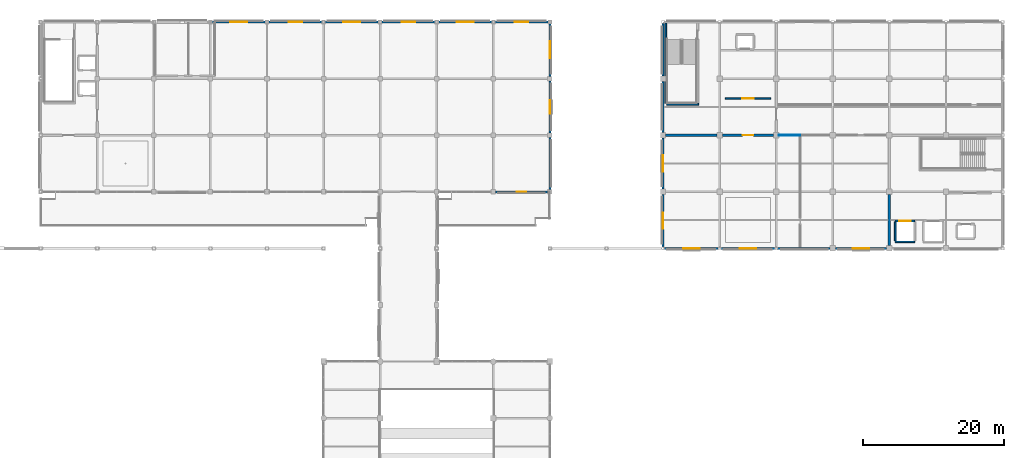
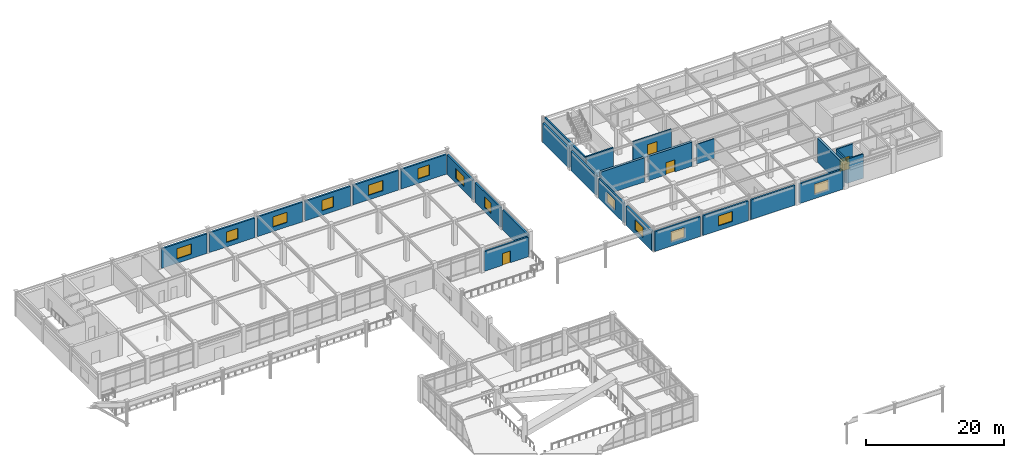
# One storey, part 63 of 78: 28 walls, 13 windows, 4 doors, 17 openings.
"""IFC4 building model written with IfcOpenShell, lengths in metres."""

from ifc_helpers import new_model, si_unit, direction, frame, frame_2d, origin, place, context, subcontext, project, spatial, rectangle, extrude, material, layer, layer_set, type_object, element, fill, save


model = new_model("IFC4")

# Units and contexts
model_context = context("Model", 3, precision=1e-05, world=origin(), true_north=direction((0.0, 1.0)))
body_context = subcontext(model_context, "Body", "Model", "MODEL_VIEW")
ifc_project = project(units=[si_unit("LENGTHUNIT", "METRE"), si_unit("AREAUNIT", "SQUARE_METRE"), si_unit("VOLUMEUNIT", "CUBIC_METRE"), si_unit("PLANEANGLEUNIT", "RADIAN"), si_unit("MASSUNIT", "GRAM", prefix="KILO")], contexts=[model_context])

# Site, building, storey
site_placement = place(None, origin())
site = spatial("IfcSite", under=ifc_project, at=site_placement, CompositionType="ELEMENT")
building_placement = place(site_placement, origin())
building = spatial("IfcBuilding", under=site, at=building_placement, Name="Solmirada Galleria", CompositionType="ELEMENT")
storey_placement = place(building_placement, frame((0.0, 0.0, 23.89990234375)))
storey = spatial("IfcBuildingStorey", under=building, at=storey_placement, Name="L05", CompositionType="ELEMENT", Elevation=23.89990234375)

# Wall
ifc_material_1 = material(Name="Concrete C40/50", Category="concrete")
ifc_layer_1 = layer(ifc_material_1, 0.3798828125)
ifc_layer_set_1 = layer_set([ifc_layer_1], Name="Concrete C40/50")
wall_type_1 = type_object("IfcWallType", Name="WL-CORE-380", PredefinedType="SHEAR", material=ifc_layer_set_1)
wall_1_placement = place(storey_placement, frame((128.375, 104.0, 0.0), z_axis=(0.0, 0.0, 1.0), x_axis=(1.0, 0.0, 0.0)))
element("IfcWall", 1, at=wall_1_placement, inside=storey, type_object=wall_type_1, Name="Core C3 shear wall L05 S1", PredefinedType="SHEAR", context=body_context, shape_type="SweptSolid", body=[
    extrude(rectangle(XDim=7.25, YDim=0.3798828125, at=frame_2d((3.625, 0.0))), origin(), (0.0, 0.0, 1.0), 4.280029296875),
])

# Wall, opening, door
wall_2_placement = place(storey_placement, frame((136.375, 104.0, 0.0), z_axis=(0.0, 0.0, 1.0), x_axis=(1.0, 0.0, 0.0)))
wall_2 = element("IfcWall", 2, at=wall_2_placement, inside=storey, type_object=wall_type_1, Name="Core C3 shear wall L05 S2", PredefinedType="SHEAR", context=body_context, shape_type="SweptSolid", body=[
    extrude(rectangle(XDim=7.25, YDim=0.3798828125, at=frame_2d((3.625, 0.0))), origin(), (0.0, 0.0, 1.0), 4.280029296875),
])
opening_1_placement = place(wall_2_placement, frame((2.875, 0.0, 0.0)))
opening_1 = element("IfcOpeningElement", 3, at=opening_1_placement, cuts=wall_2, Name="Opening LDY-194", PredefinedType="OPENING", context=body_context, shape_type="SweptSolid", body=[
    extrude(rectangle(XDim=1.5, YDim=2.14990234375, at=frame_2d((0.75, 1.074951171875))), frame((0.0, 0.199951171875, 0.0), z_axis=(0.0, -1.0, 0.0), x_axis=(1.0, 0.0, 0.0)), (0.0, 0.0, 1.0), 0.39990234375),
])
ifc_material_2 = material(Name="Fire-rated painted steel door assembly", Category="steel")
door_type_1 = type_object("IfcDoorType", Name="DR-LOBBY-150X215", OperationType="DOUBLE_DOOR_SINGLE_SWING", PredefinedType="DOOR", material=ifc_material_2)
door_1_placement = place(opening_1_placement, origin())
door_1 = element("IfcDoor", 4, at=door_1_placement, inside=storey, type_object=door_type_1, Name="Core C3 lobby access fire door LDY-194", OperationType="DOUBLE_DOOR_SINGLE_SWING", OverallHeight=2.14990234375, OverallWidth=1.5, PredefinedType="DOOR", context=body_context, shape_type="SweptSolid", body=[
    extrude(rectangle(XDim=1.5, YDim=2.14990234375, at=frame_2d((0.75, 1.074951171875))), frame((0.0, 0.02490234375, 0.0), z_axis=(0.0, -1.0, 0.0), x_axis=(1.0, 0.0, 0.0)), (0.0, 0.0, 1.0), 0.050048828125),
])
fill(opening_1, door_1)

# Wall
wall_3_placement = place(storey_placement, frame((160.0, 88.375, 0.0), z_axis=(0.0, 0.0, 1.0), x_axis=(0.0, 1.0, 0.0)))
element("IfcWall", 5, at=wall_3_placement, inside=storey, type_object=wall_type_1, Name="Core C4 shear wall L05 W1", PredefinedType="SHEAR", context=body_context, shape_type="SweptSolid", body=[
    extrude(rectangle(XDim=7.25, YDim=0.3798828125, at=frame_2d((3.625, 0.0))), origin(), (0.0, 0.0, 1.0), 4.280029296875),
])

# Wall, opening, window
ifc_material_3 = material(Name="Precast concrete C40/50", Category="concrete")
ifc_layer_2 = layer(ifc_material_3, 0.2900390625)
ifc_layer_set_2 = layer_set([ifc_layer_2], Name="Precast concrete C40/50")
wall_type_2 = type_object("IfcWallType", Name="WL-EXT-290", PredefinedType="STANDARD", material=ifc_layer_set_2)
wall_4_placement = place(storey_placement, frame((64.202880859375, 120.0, 0.0), z_axis=(0.0, 0.0, 1.0), x_axis=(1.0, 0.0, 0.0)))
wall_4 = element("IfcWall", 6, at=wall_4_placement, inside=storey, type_object=wall_type_2, Name="Exterior wall L05 bay 024", PredefinedType="STANDARD", context=body_context, shape_type="SweptSolid", body=[
    extrude(rectangle(XDim=7.59423828125, YDim=0.2900390625, at=frame_2d((3.797119140625, 0.0))), origin(), (0.0, 0.0, 1.0), 3.47998046875),
])
opening_2_placement = place(wall_4_placement, frame((2.596923828125, 0.0, 0.800048828125)))
opening_2 = element("IfcOpeningElement", 7, at=opening_2_placement, cuts=wall_4, Name="Opening WN27", PredefinedType="OPENING", context=body_context, shape_type="SweptSolid", body=[
    extrude(rectangle(XDim=2.39990234375, YDim=1.800048828125, at=frame_2d((1.199951171875, 0.89990234375))), frame((0.0, 0.155029296875, 0.0), z_axis=(0.0, -1.0, 0.0), x_axis=(1.0, 0.0, 0.0)), (0.0, 0.0, 1.0), 0.31005859375),
])
ifc_material_4 = material(Name="Impact-resistant low-E double glazing", Category="glass")
window_type_1 = type_object("IfcWindowType", Name="WIN-MOD-240X180", PartitioningType="DOUBLE_PANEL_VERTICAL", PredefinedType="WINDOW", material=ifc_material_4)
window_1_placement = place(opening_2_placement, origin())
window_1 = element("IfcWindow", 8, at=window_1_placement, inside=storey, type_object=window_type_1, Name="Window L05-155", OverallHeight=1.800048828125, OverallWidth=2.39990234375, PartitioningType="DOUBLE_PANEL_VERTICAL", PredefinedType="WINDOW", context=body_context, shape_type="SweptSolid", body=[
    extrude(rectangle(XDim=2.39990234375, YDim=1.800048828125, at=frame_2d((1.199951171875, 0.89990234375))), frame((0.0, 0.030029296875, 0.0), z_axis=(0.0, -1.0, 0.0), x_axis=(1.0, 0.0, 0.0)), (0.0, 0.0, 1.0), 0.06005859375),
])
fill(opening_2, window_1)

wall_5_placement = place(storey_placement, frame((72.202880859375, 120.0, 0.0), z_axis=(0.0, 0.0, 1.0), x_axis=(1.0, 0.0, 0.0)))
wall_5 = element("IfcWall", 9, at=wall_5_placement, inside=storey, type_object=wall_type_2, Name="Exterior wall L05 bay 025", PredefinedType="STANDARD", context=body_context, shape_type="SweptSolid", body=[
    extrude(rectangle(XDim=7.59423828125, YDim=0.2900390625, at=frame_2d((3.797119140625, 0.0))), origin(), (0.0, 0.0, 1.0), 3.47998046875),
])
opening_3_placement = place(wall_5_placement, frame((2.846923828125, 0.0, 0.800048828125)))
opening_3 = element("IfcOpeningElement", 10, at=opening_3_placement, cuts=wall_5, Name="Opening WN5", PredefinedType="OPENING", context=body_context, shape_type="SweptSolid", body=[
    extrude(rectangle(XDim=1.89990234375, YDim=1.85009765625, at=frame_2d((0.949951171875, 0.925048828125))), frame((0.0, 0.155029296875, 0.0), z_axis=(0.0, -1.0, 0.0), x_axis=(1.0, 0.0, 0.0)), (0.0, 0.0, 1.0), 0.31005859375),
])
window_type_2 = type_object("IfcWindowType", Name="WIN-AVE-190X185", PartitioningType="SINGLE_PANEL", PredefinedType="WINDOW", material=ifc_material_4)
window_2_placement = place(opening_3_placement, origin())
window_2 = element("IfcWindow", 11, at=window_2_placement, inside=storey, type_object=window_type_2, Name="Window L05-156", OverallHeight=1.85009765625, OverallWidth=1.89990234375, PartitioningType="SINGLE_PANEL", PredefinedType="WINDOW", context=body_context, shape_type="SweptSolid", body=[
    extrude(rectangle(XDim=1.89990234375, YDim=1.85009765625, at=frame_2d((0.949951171875, 0.925048828125))), frame((0.0, 0.030029296875, 0.0), z_axis=(0.0, -1.0, 0.0), x_axis=(1.0, 0.0, 0.0)), (0.0, 0.0, 1.0), 0.06005859375),
])
fill(opening_3, window_2)

wall_6_placement = place(storey_placement, frame((80.202880859375, 120.0, 0.0), z_axis=(0.0, 0.0, 1.0), x_axis=(1.0, 0.0, 0.0)))
wall_6 = element("IfcWall", 12, at=wall_6_placement, inside=storey, type_object=wall_type_2, Name="Exterior wall L05 bay 026", PredefinedType="STANDARD", context=body_context, shape_type="SweptSolid", body=[
    extrude(rectangle(XDim=7.59423828125, YDim=0.2900390625, at=frame_2d((3.797119140625, 0.0))), origin(), (0.0, 0.0, 1.0), 3.47998046875),
])
opening_4_placement = place(wall_6_placement, frame((2.596923828125, 0.0, 0.800048828125)))
opening_4 = element("IfcOpeningElement", 13, at=opening_4_placement, cuts=wall_6, Name="Opening WN27", PredefinedType="OPENING", context=body_context, shape_type="SweptSolid", body=[
    extrude(rectangle(XDim=2.39990234375, YDim=1.800048828125, at=frame_2d((1.199951171875, 0.89990234375))), frame((0.0, 0.155029296875, 0.0), z_axis=(0.0, -1.0, 0.0), x_axis=(1.0, 0.0, 0.0)), (0.0, 0.0, 1.0), 0.31005859375),
])
window_3_placement = place(opening_4_placement, origin())
window_3 = element("IfcWindow", 14, at=window_3_placement, inside=storey, type_object=window_type_1, Name="Window L05-157", OverallHeight=1.800048828125, OverallWidth=2.39990234375, PartitioningType="DOUBLE_PANEL_VERTICAL", PredefinedType="WINDOW", context=body_context, shape_type="SweptSolid", body=[
    extrude(rectangle(XDim=2.39990234375, YDim=1.800048828125, at=frame_2d((1.199951171875, 0.89990234375))), frame((0.0, 0.030029296875, 0.0), z_axis=(0.0, -1.0, 0.0), x_axis=(1.0, 0.0, 0.0)), (0.0, 0.0, 1.0), 0.06005859375),
])
fill(opening_4, window_3)

wall_7_placement = place(storey_placement, frame((88.202880859375, 120.0, 0.0), z_axis=(0.0, 0.0, 1.0), x_axis=(1.0, 0.0, 0.0)))
wall_7 = element("IfcWall", 15, at=wall_7_placement, inside=storey, type_object=wall_type_2, Name="Exterior wall L05 bay 027", PredefinedType="STANDARD", context=body_context, shape_type="SweptSolid", body=[
    extrude(rectangle(XDim=7.59423828125, YDim=0.2900390625, at=frame_2d((3.797119140625, 0.0))), origin(), (0.0, 0.0, 1.0), 3.47998046875),
])
opening_5_placement = place(wall_7_placement, frame((2.846923828125, 0.0, 0.800048828125)))
opening_5 = element("IfcOpeningElement", 16, at=opening_5_placement, cuts=wall_7, Name="Opening WN5", PredefinedType="OPENING", context=body_context, shape_type="SweptSolid", body=[
    extrude(rectangle(XDim=1.89990234375, YDim=1.85009765625, at=frame_2d((0.949951171875, 0.925048828125))), frame((0.0, 0.155029296875, 0.0), z_axis=(0.0, -1.0, 0.0), x_axis=(1.0, 0.0, 0.0)), (0.0, 0.0, 1.0), 0.31005859375),
])
window_4_placement = place(opening_5_placement, origin())
window_4 = element("IfcWindow", 17, at=window_4_placement, inside=storey, type_object=window_type_2, Name="Window L05-158", OverallHeight=1.85009765625, OverallWidth=1.89990234375, PartitioningType="SINGLE_PANEL", PredefinedType="WINDOW", context=body_context, shape_type="SweptSolid", body=[
    extrude(rectangle(XDim=1.89990234375, YDim=1.85009765625, at=frame_2d((0.949951171875, 0.925048828125))), frame((0.0, 0.030029296875, 0.0), z_axis=(0.0, -1.0, 0.0), x_axis=(1.0, 0.0, 0.0)), (0.0, 0.0, 1.0), 0.06005859375),
])
fill(opening_5, window_4)

wall_8_placement = place(storey_placement, frame((96.202880859375, 120.0, 0.0), z_axis=(0.0, 0.0, 1.0), x_axis=(1.0, 0.0, 0.0)))
wall_8 = element("IfcWall", 18, at=wall_8_placement, inside=storey, type_object=wall_type_2, Name="Exterior wall L05 bay 028", PredefinedType="STANDARD", context=body_context, shape_type="SweptSolid", body=[
    extrude(rectangle(XDim=7.59423828125, YDim=0.2900390625, at=frame_2d((3.797119140625, 0.0))), origin(), (0.0, 0.0, 1.0), 3.47998046875),
])
opening_6_placement = place(wall_8_placement, frame((2.596923828125, 0.0, 0.800048828125)))
opening_6 = element("IfcOpeningElement", 19, at=opening_6_placement, cuts=wall_8, Name="Opening WN27", PredefinedType="OPENING", context=body_context, shape_type="SweptSolid", body=[
    extrude(rectangle(XDim=2.39990234375, YDim=1.800048828125, at=frame_2d((1.199951171875, 0.89990234375))), frame((0.0, 0.155029296875, 0.0), z_axis=(0.0, -1.0, 0.0), x_axis=(1.0, 0.0, 0.0)), (0.0, 0.0, 1.0), 0.31005859375),
])
window_5_placement = place(opening_6_placement, origin())
window_5 = element("IfcWindow", 20, at=window_5_placement, inside=storey, type_object=window_type_1, Name="Window L05-159", OverallHeight=1.800048828125, OverallWidth=2.39990234375, PartitioningType="DOUBLE_PANEL_VERTICAL", PredefinedType="WINDOW", context=body_context, shape_type="SweptSolid", body=[
    extrude(rectangle(XDim=2.39990234375, YDim=1.800048828125, at=frame_2d((1.199951171875, 0.89990234375))), frame((0.0, 0.030029296875, 0.0), z_axis=(0.0, -1.0, 0.0), x_axis=(1.0, 0.0, 0.0)), (0.0, 0.0, 1.0), 0.06005859375),
])
fill(opening_6, window_5)

wall_9_placement = place(storey_placement, frame((104.202880859375, 120.0, 0.0), z_axis=(0.0, 0.0, 1.0), x_axis=(1.0, 0.0, 0.0)))
wall_9 = element("IfcWall", 21, at=wall_9_placement, inside=storey, type_object=wall_type_2, Name="Exterior wall L05 bay 029", PredefinedType="STANDARD", context=body_context, shape_type="SweptSolid", body=[
    extrude(rectangle(XDim=7.59423828125, YDim=0.2900390625, at=frame_2d((3.797119140625, 0.0))), origin(), (0.0, 0.0, 1.0), 3.47998046875),
])
opening_7_placement = place(wall_9_placement, frame((2.846923828125, 0.0, 0.800048828125)))
opening_7 = element("IfcOpeningElement", 22, at=opening_7_placement, cuts=wall_9, Name="Opening WN5", PredefinedType="OPENING", context=body_context, shape_type="SweptSolid", body=[
    extrude(rectangle(XDim=1.89990234375, YDim=1.85009765625, at=frame_2d((0.949951171875, 0.925048828125))), frame((0.0, 0.155029296875, 0.0), z_axis=(0.0, -1.0, 0.0), x_axis=(1.0, 0.0, 0.0)), (0.0, 0.0, 1.0), 0.31005859375),
])
window_6_placement = place(opening_7_placement, origin())
window_6 = element("IfcWindow", 23, at=window_6_placement, inside=storey, type_object=window_type_2, Name="Window L05-160", OverallHeight=1.85009765625, OverallWidth=1.89990234375, PartitioningType="SINGLE_PANEL", PredefinedType="WINDOW", context=body_context, shape_type="SweptSolid", body=[
    extrude(rectangle(XDim=1.89990234375, YDim=1.85009765625, at=frame_2d((0.949951171875, 0.925048828125))), frame((0.0, 0.030029296875, 0.0), z_axis=(0.0, -1.0, 0.0), x_axis=(1.0, 0.0, 0.0)), (0.0, 0.0, 1.0), 0.06005859375),
])
fill(opening_7, window_6)

wall_10_placement = place(storey_placement, frame((112.0, 119.797119140625, 0.0), z_axis=(0.0, 0.0, 1.0), x_axis=(0.0, -1.0, 0.0)))
wall_10 = element("IfcWall", 24, at=wall_10_placement, inside=storey, type_object=wall_type_2, Name="Exterior wall L05 bay 030", PredefinedType="STANDARD", context=body_context, shape_type="SweptSolid", body=[
    extrude(rectangle(XDim=7.47216796875, YDim=0.2900390625, at=frame_2d((3.736083984375, 0.0))), origin(), (0.0, 0.0, 1.0), 3.47998046875),
])
opening_8_placement = place(wall_10_placement, frame((2.535888671875, 0.0, 0.800048828125)))
opening_8 = element("IfcOpeningElement", 25, at=opening_8_placement, cuts=wall_10, Name="Opening WN27", PredefinedType="OPENING", context=body_context, shape_type="SweptSolid", body=[
    extrude(rectangle(XDim=2.39990234375, YDim=1.800048828125, at=frame_2d((1.199951171875, 0.89990234375))), frame((0.0, 0.155029296875, 0.0), z_axis=(0.0, -1.0, 0.0), x_axis=(1.0, 0.0, 0.0)), (0.0, 0.0, 1.0), 0.31005859375),
])
window_7_placement = place(opening_8_placement, origin())
window_7 = element("IfcWindow", 26, at=window_7_placement, inside=storey, type_object=window_type_1, Name="Window L05-161", OverallHeight=1.800048828125, OverallWidth=2.39990234375, PartitioningType="DOUBLE_PANEL_VERTICAL", PredefinedType="WINDOW", context=body_context, shape_type="SweptSolid", body=[
    extrude(rectangle(XDim=2.39990234375, YDim=1.800048828125, at=frame_2d((1.199951171875, 0.89990234375))), frame((0.0, 0.030029296875, 0.0), z_axis=(0.0, -1.0, 0.0), x_axis=(1.0, 0.0, 0.0)), (0.0, 0.0, 1.0), 0.06005859375),
])
fill(opening_8, window_7)

wall_11_placement = place(storey_placement, frame((112.0, 111.675048828125, 0.0), z_axis=(0.0, 0.0, 1.0), x_axis=(0.0, -1.0, 0.0)))
wall_11 = element("IfcWall", 27, at=wall_11_placement, inside=storey, type_object=wall_type_2, Name="Exterior wall L05 bay 031", PredefinedType="STANDARD", context=body_context, shape_type="SweptSolid", body=[
    extrude(rectangle(XDim=7.35009765625, YDim=0.2900390625, at=frame_2d((3.675048828125, 0.0))), origin(), (0.0, 0.0, 1.0), 3.47998046875),
])
opening_9_placement = place(wall_11_placement, frame((2.72509765625, 0.0, 0.800048828125)))
opening_9 = element("IfcOpeningElement", 28, at=opening_9_placement, cuts=wall_11, Name="Opening WN5", PredefinedType="OPENING", context=body_context, shape_type="SweptSolid", body=[
    extrude(rectangle(XDim=1.89990234375, YDim=1.85009765625, at=frame_2d((0.949951171875, 0.925048828125))), frame((0.0, 0.155029296875, 0.0), z_axis=(0.0, -1.0, 0.0), x_axis=(1.0, 0.0, 0.0)), (0.0, 0.0, 1.0), 0.31005859375),
])
window_8_placement = place(opening_9_placement, origin())
window_8 = element("IfcWindow", 29, at=window_8_placement, inside=storey, type_object=window_type_2, Name="Window L05-162", OverallHeight=1.85009765625, OverallWidth=1.89990234375, PartitioningType="SINGLE_PANEL", PredefinedType="WINDOW", context=body_context, shape_type="SweptSolid", body=[
    extrude(rectangle(XDim=1.89990234375, YDim=1.85009765625, at=frame_2d((0.949951171875, 0.925048828125))), frame((0.0, 0.030029296875, 0.0), z_axis=(0.0, -1.0, 0.0), x_axis=(1.0, 0.0, 0.0)), (0.0, 0.0, 1.0), 0.06005859375),
])
fill(opening_9, window_8)

# Wall
wall_12_placement = place(storey_placement, frame((112.0, 103.675048828125, 0.0), z_axis=(0.0, 0.0, 1.0), x_axis=(0.0, -1.0, 0.0)))
element("IfcWall", 30, at=wall_12_placement, inside=storey, type_object=wall_type_2, Name="Exterior wall L05 bay 032", PredefinedType="STANDARD", context=body_context, shape_type="SweptSolid", body=[
    extrude(rectangle(XDim=7.35009765625, YDim=0.2900390625, at=frame_2d((3.675048828125, 0.0))), origin(), (0.0, 0.0, 1.0), 3.47998046875),
])

# Wall, opening, door
wall_13_placement = place(storey_placement, frame((111.675048828125, 96.0, 0.0), z_axis=(0.0, 0.0, 1.0), x_axis=(-1.0, 0.0, 0.0)))
wall_13 = element("IfcWall", 31, at=wall_13_placement, inside=storey, type_object=wall_type_2, Name="Exterior wall L05 bay 033", PredefinedType="STANDARD", context=body_context, shape_type="SweptSolid", body=[
    extrude(rectangle(XDim=7.35009765625, YDim=0.2900390625, at=frame_2d((3.675048828125, 0.0))), origin(), (0.0, 0.0, 1.0), 3.47998046875),
])
opening_10_placement = place(wall_13_placement, frame((3.0, 0.0, 0.0)))
opening_10 = element("IfcOpeningElement", 32, at=opening_10_placement, cuts=wall_13, Name="Opening TD-078", PredefinedType="OPENING", context=body_context, shape_type="SweptSolid", body=[
    extrude(rectangle(XDim=1.35009765625, YDim=2.10009765625, at=frame_2d((0.675048828125, 1.050048828125))), frame((0.0, 0.155029296875, 0.0), z_axis=(0.0, -1.0, 0.0), x_axis=(1.0, 0.0, 0.0)), (0.0, 0.0, 1.0), 0.31005859375),
])
ifc_material_5 = material(Name="Thermally broken aluminium and laminated glass door", Category="aluminium")
door_type_2 = type_object("IfcDoorType", Name="DR-TERR-135X210", OperationType="DOUBLE_DOOR_SINGLE_SWING", PredefinedType="DOOR", material=ifc_material_5)
door_2_placement = place(opening_10_placement, origin())
door_2 = element("IfcDoor", 33, at=door_2_placement, inside=storey, type_object=door_type_2, Name="Planted terrace access door TD-078", OperationType="DOUBLE_DOOR_SINGLE_SWING", OverallHeight=2.10009765625, OverallWidth=1.35009765625, PredefinedType="DOOR", context=body_context, shape_type="SweptSolid", body=[
    extrude(rectangle(XDim=1.35009765625, YDim=2.10009765625, at=frame_2d((0.675048828125, 1.050048828125))), frame((0.0, 0.02490234375, 0.0), z_axis=(0.0, -1.0, 0.0), x_axis=(1.0, 0.0, 0.0)), (0.0, 0.0, 1.0), 0.050048828125),
])
fill(opening_10, door_2)

# Wall, opening, window
wall_14_placement = place(storey_placement, frame((159.625, 88.0, 0.0), z_axis=(0.0, 0.0, 1.0), x_axis=(-1.0, 0.0, 0.0)))
wall_14 = element("IfcWall", 34, at=wall_14_placement, inside=storey, type_object=wall_type_2, Name="Exterior wall L05 bay 076", PredefinedType="STANDARD", context=body_context, shape_type="SweptSolid", body=[
    extrude(rectangle(XDim=7.25, YDim=0.2900390625, at=frame_2d((3.625, 0.0))), origin(), (0.0, 0.0, 1.0), 3.47998046875),
])
opening_11_placement = place(wall_14_placement, frame((2.47509765625, 0.0, 0.800048828125)))
opening_11 = element("IfcOpeningElement", 35, at=opening_11_placement, cuts=wall_14, Name="Opening WN28", PredefinedType="OPENING", context=body_context, shape_type="SweptSolid", body=[
    extrude(rectangle(XDim=2.300048828125, YDim=1.75, at=frame_2d((1.14990234375, 0.875))), frame((0.0, 0.155029296875, 0.0), z_axis=(0.0, -1.0, 0.0), x_axis=(1.0, 0.0, 0.0)), (0.0, 0.0, 1.0), 0.31005859375),
])
window_type_3 = type_object("IfcWindowType", Name="WIN-MOD-230X175", PartitioningType="DOUBLE_PANEL_VERTICAL", PredefinedType="WINDOW", material=ifc_material_4)
window_9_placement = place(opening_11_placement, origin())
window_9 = element("IfcWindow", 36, at=window_9_placement, inside=storey, type_object=window_type_3, Name="Window L05-182", OverallHeight=1.75, OverallWidth=2.300048828125, PartitioningType="DOUBLE_PANEL_VERTICAL", PredefinedType="WINDOW", context=body_context, shape_type="SweptSolid", body=[
    extrude(rectangle(XDim=2.300048828125, YDim=1.75, at=frame_2d((1.14990234375, 0.875))), frame((0.0, 0.030029296875, 0.0), z_axis=(0.0, -1.0, 0.0), x_axis=(1.0, 0.0, 0.0)), (0.0, 0.0, 1.0), 0.06005859375),
])
fill(opening_11, window_9)

# Wall
wall_15_placement = place(storey_placement, frame((151.625, 88.0, 0.0), z_axis=(0.0, 0.0, 1.0), x_axis=(-1.0, 0.0, 0.0)))
element("IfcWall", 37, at=wall_15_placement, inside=storey, type_object=wall_type_2, Name="Exterior wall L05 bay 077", PredefinedType="STANDARD", context=body_context, shape_type="SweptSolid", body=[
    extrude(rectangle(XDim=7.422119140625, YDim=0.2900390625, at=frame_2d((3.7109375, 0.0))), origin(), (0.0, 0.0, 1.0), 3.47998046875),
])

# Wall, opening, window
wall_16_placement = place(storey_placement, frame((143.797119140625, 88.0, 0.0), z_axis=(0.0, 0.0, 1.0), x_axis=(-1.0, 0.0, 0.0)))
wall_16 = element("IfcWall", 38, at=wall_16_placement, inside=storey, type_object=wall_type_2, Name="Exterior wall L05 bay 078", PredefinedType="STANDARD", context=body_context, shape_type="SweptSolid", body=[
    extrude(rectangle(XDim=7.59423828125, YDim=0.2900390625, at=frame_2d((3.797119140625, 0.0))), origin(), (0.0, 0.0, 1.0), 3.47998046875),
])
opening_12_placement = place(wall_16_placement, frame((2.64697265625, 0.0, 0.800048828125)))
opening_12 = element("IfcOpeningElement", 39, at=opening_12_placement, cuts=wall_16, Name="Opening WN28", PredefinedType="OPENING", context=body_context, shape_type="SweptSolid", body=[
    extrude(rectangle(XDim=2.300048828125, YDim=1.75, at=frame_2d((1.14990234375, 0.875))), frame((0.0, 0.155029296875, 0.0), z_axis=(0.0, -1.0, 0.0), x_axis=(1.0, 0.0, 0.0)), (0.0, 0.0, 1.0), 0.31005859375),
])
window_10_placement = place(opening_12_placement, origin())
window_10 = element("IfcWindow", 40, at=window_10_placement, inside=storey, type_object=window_type_3, Name="Window L05-183", OverallHeight=1.75, OverallWidth=2.300048828125, PartitioningType="DOUBLE_PANEL_VERTICAL", PredefinedType="WINDOW", context=body_context, shape_type="SweptSolid", body=[
    extrude(rectangle(XDim=2.300048828125, YDim=1.75, at=frame_2d((1.14990234375, 0.875))), frame((0.0, 0.030029296875, 0.0), z_axis=(0.0, -1.0, 0.0), x_axis=(1.0, 0.0, 0.0)), (0.0, 0.0, 1.0), 0.06005859375),
])
fill(opening_12, window_10)

wall_17_placement = place(storey_placement, frame((135.797119140625, 88.0, 0.0), z_axis=(0.0, 0.0, 1.0), x_axis=(-1.0, 0.0, 0.0)))
wall_17 = element("IfcWall", 41, at=wall_17_placement, inside=storey, type_object=wall_type_2, Name="Exterior wall L05 bay 079", PredefinedType="STANDARD", context=body_context, shape_type="SweptSolid", body=[
    extrude(rectangle(XDim=7.59423828125, YDim=0.2900390625, at=frame_2d((3.797119140625, 0.0))), origin(), (0.0, 0.0, 1.0), 3.47998046875),
])
opening_13_placement = place(wall_17_placement, frame((2.64697265625, 0.0, 0.800048828125)))
opening_13 = element("IfcOpeningElement", 42, at=opening_13_placement, cuts=wall_17, Name="Opening WN28", PredefinedType="OPENING", context=body_context, shape_type="SweptSolid", body=[
    extrude(rectangle(XDim=2.300048828125, YDim=1.75, at=frame_2d((1.14990234375, 0.875))), frame((0.0, 0.155029296875, 0.0), z_axis=(0.0, -1.0, 0.0), x_axis=(1.0, 0.0, 0.0)), (0.0, 0.0, 1.0), 0.31005859375),
])
window_11_placement = place(opening_13_placement, origin())
window_11 = element("IfcWindow", 43, at=window_11_placement, inside=storey, type_object=window_type_3, Name="Window L05-184", OverallHeight=1.75, OverallWidth=2.300048828125, PartitioningType="DOUBLE_PANEL_VERTICAL", PredefinedType="WINDOW", context=body_context, shape_type="SweptSolid", body=[
    extrude(rectangle(XDim=2.300048828125, YDim=1.75, at=frame_2d((1.14990234375, 0.875))), frame((0.0, 0.030029296875, 0.0), z_axis=(0.0, -1.0, 0.0), x_axis=(1.0, 0.0, 0.0)), (0.0, 0.0, 1.0), 0.06005859375),
])
fill(opening_13, window_11)

wall_18_placement = place(storey_placement, frame((128.0, 88.202880859375, 0.0), z_axis=(0.0, 0.0, 1.0), x_axis=(0.0, 1.0, 0.0)))
wall_18 = element("IfcWall", 44, at=wall_18_placement, inside=storey, type_object=wall_type_2, Name="Exterior wall L05 bay 080", PredefinedType="STANDARD", context=body_context, shape_type="SweptSolid", body=[
    extrude(rectangle(XDim=7.422119140625, YDim=0.2900390625, at=frame_2d((3.7109375, 0.0))), origin(), (0.0, 0.0, 1.0), 3.47998046875),
])
opening_14_placement = place(wall_18_placement, frame((2.56103515625, 0.0, 0.800048828125)))
opening_14 = element("IfcOpeningElement", 45, at=opening_14_placement, cuts=wall_18, Name="Opening WN28", PredefinedType="OPENING", context=body_context, shape_type="SweptSolid", body=[
    extrude(rectangle(XDim=2.300048828125, YDim=1.75, at=frame_2d((1.14990234375, 0.875))), frame((0.0, 0.155029296875, 0.0), z_axis=(0.0, -1.0, 0.0), x_axis=(1.0, 0.0, 0.0)), (0.0, 0.0, 1.0), 0.31005859375),
])
window_12_placement = place(opening_14_placement, origin())
window_12 = element("IfcWindow", 46, at=window_12_placement, inside=storey, type_object=window_type_3, Name="Window L05-185", OverallHeight=1.75, OverallWidth=2.300048828125, PartitioningType="DOUBLE_PANEL_VERTICAL", PredefinedType="WINDOW", context=body_context, shape_type="SweptSolid", body=[
    extrude(rectangle(XDim=2.300048828125, YDim=1.75, at=frame_2d((1.14990234375, 0.875))), frame((0.0, 0.030029296875, 0.0), z_axis=(0.0, -1.0, 0.0), x_axis=(1.0, 0.0, 0.0)), (0.0, 0.0, 1.0), 0.06005859375),
])
fill(opening_14, window_12)

wall_19_placement = place(storey_placement, frame((128.0, 96.375, 0.0), z_axis=(0.0, 0.0, 1.0), x_axis=(0.0, 1.0, 0.0)))
wall_19 = element("IfcWall", 47, at=wall_19_placement, inside=storey, type_object=wall_type_2, Name="Exterior wall L05 bay 081", PredefinedType="STANDARD", context=body_context, shape_type="SweptSolid", body=[
    extrude(rectangle(XDim=7.25, YDim=0.2900390625, at=frame_2d((3.625, 0.0))), origin(), (0.0, 0.0, 1.0), 3.47998046875),
])
opening_15_placement = place(wall_19_placement, frame((2.47509765625, 0.0, 0.800048828125)))
opening_15 = element("IfcOpeningElement", 48, at=opening_15_placement, cuts=wall_19, Name="Opening WN28", PredefinedType="OPENING", context=body_context, shape_type="SweptSolid", body=[
    extrude(rectangle(XDim=2.300048828125, YDim=1.75, at=frame_2d((1.14990234375, 0.875))), frame((0.0, 0.155029296875, 0.0), z_axis=(0.0, -1.0, 0.0), x_axis=(1.0, 0.0, 0.0)), (0.0, 0.0, 1.0), 0.31005859375),
])
window_13_placement = place(opening_15_placement, origin())
window_13 = element("IfcWindow", 49, at=window_13_placement, inside=storey, type_object=window_type_3, Name="Window L05-186", OverallHeight=1.75, OverallWidth=2.300048828125, PartitioningType="DOUBLE_PANEL_VERTICAL", PredefinedType="WINDOW", context=body_context, shape_type="SweptSolid", body=[
    extrude(rectangle(XDim=2.300048828125, YDim=1.75, at=frame_2d((1.14990234375, 0.875))), frame((0.0, 0.030029296875, 0.0), z_axis=(0.0, -1.0, 0.0), x_axis=(1.0, 0.0, 0.0)), (0.0, 0.0, 1.0), 0.06005859375),
])
fill(opening_15, window_13)

# Walls
wall_20_placement = place(storey_placement, frame((128.0, 104.375, 0.0), z_axis=(0.0, 0.0, 1.0), x_axis=(0.0, 1.0, 0.0)))
element("IfcWall", 50, at=wall_20_placement, inside=storey, type_object=wall_type_2, Name="Exterior wall L05 bay 082", PredefinedType="STANDARD", context=body_context, shape_type="SweptSolid", body=[
    extrude(rectangle(XDim=7.25, YDim=0.2900390625, at=frame_2d((3.625, 0.0))), origin(), (0.0, 0.0, 1.0), 3.47998046875),
])
wall_21_placement = place(storey_placement, frame((128.0, 112.375, 0.0), z_axis=(0.0, 0.0, 1.0), x_axis=(0.0, 1.0, 0.0)))
element("IfcWall", 51, at=wall_21_placement, inside=storey, type_object=wall_type_2, Name="Exterior wall L05 bay 083", PredefinedType="STANDARD", context=body_context, shape_type="SweptSolid", body=[
    extrude(rectangle(XDim=7.422119140625, YDim=0.2900390625, at=frame_2d((3.7109375, 0.0))), origin(), (0.0, 0.0, 1.0), 3.47998046875),
])

# Wall, opening, door
ifc_layer_3 = layer(ifc_material_1, 0.239990234375)
ifc_layer_set_3 = layer_set([ifc_layer_3], Name="Concrete C40/50")
wall_type_3 = type_object("IfcWallType", Name="WL-HOIST-240", PredefinedType="PARTITIONING", material=ifc_layer_set_3)
wall_22_placement = place(storey_placement, frame((160.820068359375, 91.8798828125, 0.0), z_axis=(0.0, 0.0, 1.0), x_axis=(1.0, 0.0, 0.0)))
wall_22 = element("IfcWall", 52, at=wall_22_placement, inside=storey, type_object=wall_type_3, Name="Lift GF2 hoistway front wall L05", PredefinedType="PARTITIONING", context=body_context, shape_type="SweptSolid", body=[
    extrude(rectangle(XDim=2.760009765625, YDim=0.239990234375, at=frame_2d((1.3798828125, 0.0))), origin(), (0.0, 0.0, 1.0), 4.280029296875),
])
opening_16_placement = place(wall_22_placement, frame((0.580078125, 0.0, 0.0)))
opening_16 = element("IfcOpeningElement", 53, at=opening_16_placement, cuts=wall_22, Name="Opening LD-GF2-L05", PredefinedType="OPENING", context=body_context, shape_type="SweptSolid", body=[
    extrude(rectangle(XDim=1.60009765625, YDim=2.300048828125, at=frame_2d((0.800048828125, 1.14990234375))), frame((0.0, 0.1298828125, 0.0), z_axis=(0.0, -1.0, 0.0), x_axis=(1.0, 0.0, 0.0)), (0.0, 0.0, 1.0), 0.260009765625),
])
ifc_material_6 = material(Name="Brushed stainless-steel sliding landing door", Category="steel")
door_type_3 = type_object("IfcDoorType", Name="DR-LIFT-160X230", OperationType="SLIDING_TO_LEFT", PredefinedType="DOOR", material=ifc_material_6)
door_3_placement = place(opening_16_placement, origin())
door_3 = element("IfcDoor", 54, at=door_3_placement, inside=storey, type_object=door_type_3, Name="Lift GF2 sliding landing door L05", OperationType="SLIDING_TO_LEFT", OverallHeight=2.300048828125, OverallWidth=1.60009765625, PredefinedType="DOOR", context=body_context, shape_type="SweptSolid", body=[
    extrude(rectangle(XDim=1.60009765625, YDim=2.300048828125, at=frame_2d((0.800048828125, 1.14990234375))), frame((0.0, 0.02490234375, 0.0), z_axis=(0.0, -1.0, 0.0), x_axis=(1.0, 0.0, 0.0)), (0.0, 0.0, 1.0), 0.050048828125),
])
fill(opening_16, door_3)

# Walls
wall_23_placement = place(storey_placement, frame((160.820068359375, 88.919921875, 0.0), z_axis=(0.0, 0.0, 1.0), x_axis=(1.0, 0.0, 0.0)))
element("IfcWall", 55, at=wall_23_placement, inside=storey, type_object=wall_type_3, Name="Lift GF2 hoistway rear wall L05", PredefinedType="PARTITIONING", context=body_context, shape_type="SweptSolid", body=[
    extrude(rectangle(XDim=2.760009765625, YDim=0.239990234375, at=frame_2d((1.3798828125, 0.0))), origin(), (0.0, 0.0, 1.0), 4.280029296875),
])
wall_24_placement = place(storey_placement, frame((160.820068359375, 89.06005859375, 0.0), z_axis=(0.0, 0.0, 1.0), x_axis=(0.0, 1.0, 0.0)))
element("IfcWall", 56, at=wall_24_placement, inside=storey, type_object=wall_type_3, Name="Lift GF2 hoistway side wall L L05", PredefinedType="PARTITIONING", context=body_context, shape_type="SweptSolid", body=[
    extrude(rectangle(XDim=2.679931640625, YDim=0.239990234375, at=frame_2d((1.33984375, 0.0))), origin(), (0.0, 0.0, 1.0), 4.280029296875),
])
ifc_material_7 = material(Name="Acoustic gypsum board partition")
ifc_layer_4 = layer(ifc_material_7, 0.135009765625)
ifc_layer_set_4 = layer_set([ifc_layer_4], Name="Acoustic gypsum board partition")
wall_type_4 = type_object("IfcWallType", Name="WL-PART-135", PredefinedType="PARTITIONING", material=ifc_layer_set_4)
wall_25_placement = place(storey_placement, frame((144.375, 104.0, 0.0), z_axis=(0.0, 0.0, 1.0), x_axis=(1.0, 0.0, 0.0)))
element("IfcWall", 57, at=wall_25_placement, inside=storey, type_object=wall_type_4, Name="Partition L05-155 (NE Corridor South W L05)", PredefinedType="PARTITIONING", context=body_context, shape_type="SweptSolid", body=[
    extrude(rectangle(XDim=3.02490234375, YDim=0.135009765625, at=frame_2d((1.512451171875, 0.0))), origin(), (0.0, 0.0, 1.0), 3.47998046875),
])

# Wall, opening, door
ifc_material_8 = material(Name="Fire-rated gypsum and steel-stud partition", Category="steel")
ifc_layer_5 = layer(ifc_material_8, 0.219970703125)
ifc_layer_set_5 = layer_set([ifc_layer_5], Name="Fire-rated gypsum and steel-stud partition")
wall_type_5 = type_object("IfcWallType", Name="WL-PART-220", PredefinedType="PARTITIONING", material=ifc_layer_set_5)
wall_26_placement = place(storey_placement, frame((136.800048828125, 109.199951171875, 0.0), z_axis=(0.0, 0.0, 1.0), x_axis=(1.0, 0.0, 0.0)))
wall_26 = element("IfcWall", 58, at=wall_26_placement, inside=storey, type_object=wall_type_5, Name="Firefighting lift lobby C3 smoke barrier L05", PredefinedType="PARTITIONING", context=body_context, shape_type="SweptSolid", body=[
    extrude(rectangle(XDim=6.39990234375, YDim=0.219970703125, at=frame_2d((3.199951171875, 0.0))), origin(), (0.0, 0.0, 1.0), 3.47998046875),
])
opening_17_placement = place(wall_26_placement, frame((2.39990234375, 0.0, 0.0)))
opening_17 = element("IfcOpeningElement", 59, at=opening_17_placement, cuts=wall_26, Name="Opening FD-196", PredefinedType="OPENING", context=body_context, shape_type="SweptSolid", body=[
    extrude(rectangle(XDim=1.60009765625, YDim=2.14990234375, at=frame_2d((0.800048828125, 1.074951171875))), frame((0.0, 0.119873046875, 0.0), z_axis=(0.0, -1.0, 0.0), x_axis=(1.0, 0.0, 0.0)), (0.0, 0.0, 1.0), 0.239990234375),
])
door_type_4 = type_object("IfcDoorType", Name="DR-FFLOB-160X215", OperationType="DOUBLE_DOOR_SINGLE_SWING", PredefinedType="DOOR", material=ifc_material_2)
door_4_placement = place(opening_17_placement, origin())
door_4 = element("IfcDoor", 60, at=door_4_placement, inside=storey, type_object=door_type_4, Name="Firefighting lift lobby internal door FD-196", OperationType="DOUBLE_DOOR_SINGLE_SWING", OverallHeight=2.14990234375, OverallWidth=1.60009765625, PredefinedType="DOOR", context=body_context, shape_type="SweptSolid", body=[
    extrude(rectangle(XDim=1.60009765625, YDim=2.14990234375, at=frame_2d((0.800048828125, 1.074951171875))), frame((0.0, 0.02490234375, 0.0), z_axis=(0.0, -1.0, 0.0), x_axis=(1.0, 0.0, 0.0)), (0.0, 0.0, 1.0), 0.050048828125),
])
fill(opening_17, door_4)

# Walls
ifc_layer_6 = layer(ifc_material_1, 0.260009765625)
ifc_layer_set_6 = layer_set([ifc_layer_6], Name="Concrete C40/50")
wall_type_6 = type_object("IfcWallType", Name="WL-SHAFT-260", PredefinedType="SHEAR", material=ifc_layer_set_6)
wall_27_placement = place(storey_placement, frame((128.5, 108.3701171875, 0.0), z_axis=(0.0, 0.0, 1.0), x_axis=(1.0, 0.0, 0.0)))
element("IfcWall", 61, at=wall_27_placement, inside=storey, type_object=wall_type_6, Name="Stair ST3 enclosure wall L05 S", PredefinedType="SHEAR", context=body_context, shape_type="SweptSolid", body=[
    extrude(rectangle(XDim=4.510009765625, YDim=0.260009765625, at=frame_2d((2.2548828125, 0.0))), origin(), (0.0, 0.0, 1.0), 4.280029296875),
])
wall_28_placement = place(storey_placement, frame((128.3701171875, 108.5, 0.0), z_axis=(0.0, 0.0, 1.0), x_axis=(0.0, 1.0, 0.0)))
element("IfcWall", 62, at=wall_28_placement, inside=storey, type_object=wall_type_6, Name="Stair ST3 enclosure wall L05 W", PredefinedType="SHEAR", context=body_context, shape_type="SweptSolid", body=[
    extrude(rectangle(XDim=11.35498046875, YDim=0.260009765625, at=frame_2d((5.677490234375, 0.0))), origin(), (0.0, 0.0, 1.0), 4.280029296875),
])

save(model, "model.ifc")
